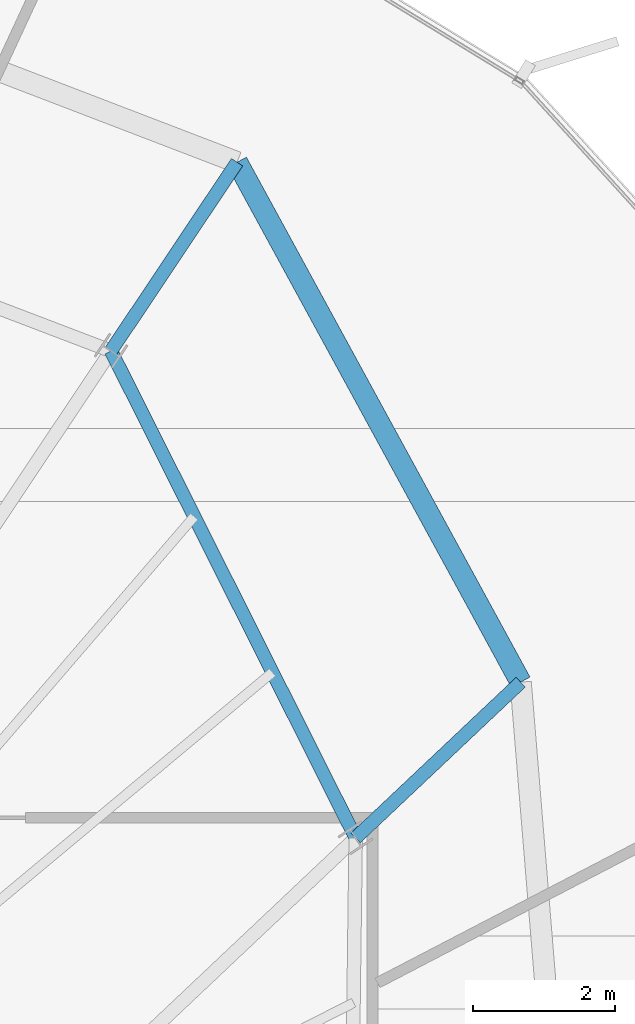
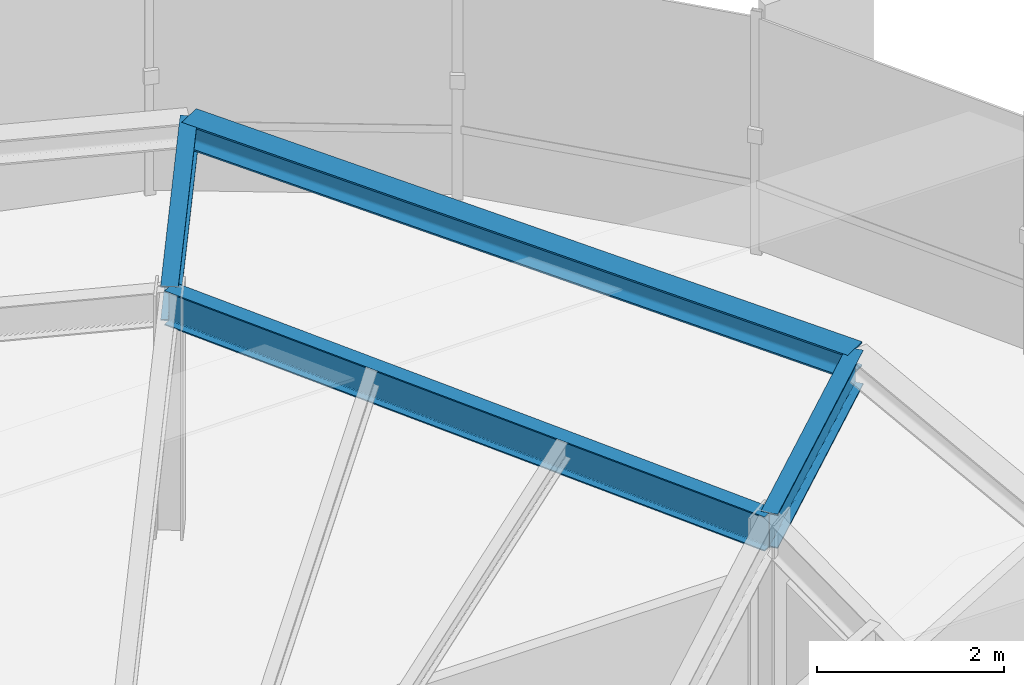
# One storey, part 23 of 33: 4 beams.
"""IFC4 building model written with IfcOpenShell, lengths in metres."""

from ifc_helpers import new_model, si_unit, direction, frame, origin, origin_2d, place, context, subcontext, project, spatial, i_section, extrude, source, transform, mapped, material, material_profile, profile_set, type_object, element, save


model = new_model("IFC4")

# Units and contexts
model_context = context("Model", 3, precision=1e-05, world=origin(), true_north=direction((0.0, 1.0)))
body_context = subcontext(model_context, "Body", "Model", "MODEL_VIEW")
ifc_project = project(units=[si_unit("LENGTHUNIT", "METRE"), si_unit("AREAUNIT", "SQUARE_METRE"), si_unit("VOLUMEUNIT", "CUBIC_METRE"), si_unit("PLANEANGLEUNIT", "RADIAN"), si_unit("MASSUNIT", "GRAM", prefix="KILO"), si_unit("THERMODYNAMICTEMPERATUREUNIT", "KELVIN")], contexts=[model_context])

# Site, building, storey
site_placement = place(None, origin())
site = spatial("IfcSite", under=ifc_project, at=site_placement, CompositionType="ELEMENT")
building_placement = place(site_placement, origin())
building = spatial("IfcBuilding", under=site, at=building_placement, Name="Kethvar Cultural Tower", CompositionType="ELEMENT")
storey_placement = place(building_placement, frame((0.0, 0.0, 238.75)))
storey = spatial("IfcBuildingStorey", under=building, at=storey_placement, Name="L62", CompositionType="ELEMENT", Elevation=238.75)

# Beams
ifc_material = material(Name="Steel S355J2", Category="steel")
ifc_material_profile_1 = material_profile(ifc_material, i_section(OverallWidth=0.18994140625, OverallDepth=0.449951171875, WebThickness=0.009521484375, FlangeThickness=0.0146484375, FilletRadius=0.02099609375, at=origin_2d()), Name="Steel S355J2 — IPE450")
ifc_profile_set_1 = profile_set([ifc_material_profile_1], Name="Steel S355J2 — IPE450")
beam_type_1 = type_object("IfcBeamType", Name="BM-IPE450", PredefinedType="BEAM", material=ifc_profile_set_1)
shared_shape_1 = source(origin(), body_context, "Body", "SweptSolid", [
    extrude(i_section(OverallWidth=0.18994140625, OverallDepth=0.449951171875, WebThickness=0.009521484375, FlangeThickness=0.0146484375, FilletRadius=0.02099609375, at=origin_2d()), origin(), (0.0, 0.0, 1.0), 3.199951171875),
])
beam_1_placement = place(storey_placement, frame((61.32568359375, 37.505859375, 2.98291015625), z_axis=(0.727146433404, 0.686482384616, 0.0), x_axis=(-0.686482384616, 0.727146433404, 0.0)))
element("IfcBeam", 1, at=beam_1_placement, inside=storey, type_object=beam_type_1, Name="L62 Perimeter Cantilever Beam RC-02", PredefinedType="BEAM", context=body_context, shape_type="MappedRepresentation", body=[
    mapped(shared_shape_1, transform((0.0, 0.0, 0.0), scale=1.0)),
])
shared_shape_2 = source(origin(), body_context, "Body", "SweptSolid", [
    extrude(i_section(OverallWidth=0.18994140625, OverallDepth=0.449951171875, WebThickness=0.009521484375, FlangeThickness=0.0146484375, FilletRadius=0.02099609375, at=origin_2d()), origin(), (0.0, 0.0, 1.0), 3.2001953125),
])
beam_2_placement = place(storey_placement, frame((57.875244140625, 44.375, 2.98291015625), z_axis=(0.555544970406, 0.831486491686, 0.0), x_axis=(-0.831486491686, 0.555544970406, 0.0)))
element("IfcBeam", 2, at=beam_2_placement, inside=storey, type_object=beam_type_1, Name="L62 Perimeter Cantilever Beam RC-03", PredefinedType="BEAM", context=body_context, shape_type="MappedRepresentation", body=[
    mapped(shared_shape_2, transform((0.0, 0.0, 0.0), scale=1.0)),
])
shared_shape_3 = source(origin(), body_context, "Body", "SweptSolid", [
    extrude(i_section(OverallWidth=0.18994140625, OverallDepth=0.449951171875, WebThickness=0.009521484375, FlangeThickness=0.0146484375, FilletRadius=0.02099609375, at=origin_2d()), origin(), (0.0, 0.0, 1.0), 7.68701171875),
])
beam_3_placement = place(storey_placement, frame((61.32568359375, 37.505859375, 2.98291015625), z_axis=(-0.448864354142, 0.893599905763, 0.0), x_axis=(-0.893599905763, -0.448864354142, 0.0)))
element("IfcBeam", 3, at=beam_3_placement, inside=storey, type_object=beam_type_1, Name="L62 Column Ring Tie Beam CR-02", PredefinedType="BEAM", context=body_context, shape_type="MappedRepresentation", body=[
    mapped(shared_shape_3, transform((0.0, 0.0, 0.0), scale=1.0)),
])
ifc_material_profile_2 = material_profile(ifc_material, i_section(OverallWidth=0.300048828125, OverallDepth=0.320068359375, WebThickness=0.011474609375, FlangeThickness=0.0205078125, FilletRadius=0.027099609375, at=origin_2d()), Name="Steel S355J2 — HEB320")
ifc_profile_set_2 = profile_set([ifc_material_profile_2], Name="Steel S355J2 — HEB320")
beam_type_2 = type_object("IfcBeamType", Name="BM-SP320", PredefinedType="SPANDREL", material=ifc_profile_set_2)
shared_shape_4 = source(origin(), body_context, "Body", "SweptSolid", [
    extrude(i_section(OverallWidth=0.300048828125, OverallDepth=0.320068359375, WebThickness=0.011474609375, FlangeThickness=0.0205078125, FilletRadius=0.027099609375, at=origin_2d()), origin(), (0.0, 0.0, 1.0), 8.35302734375),
])
beam_4_placement = place(storey_placement, frame((63.652587890625, 39.70263671875, 3.048095703125), z_axis=(-0.478811173891, 0.877917911742, 0.0), x_axis=(-0.877917911742, -0.478811173891, 0.0)))
element("IfcBeam", 4, at=beam_4_placement, inside=storey, type_object=beam_type_2, Name="L62 Perimeter Spandrel Beam SP-02", PredefinedType="SPANDREL", context=body_context, shape_type="MappedRepresentation", body=[
    mapped(shared_shape_4, transform((0.0, 0.0, 0.0), scale=1.0)),
])

save(model, "model.ifc")
